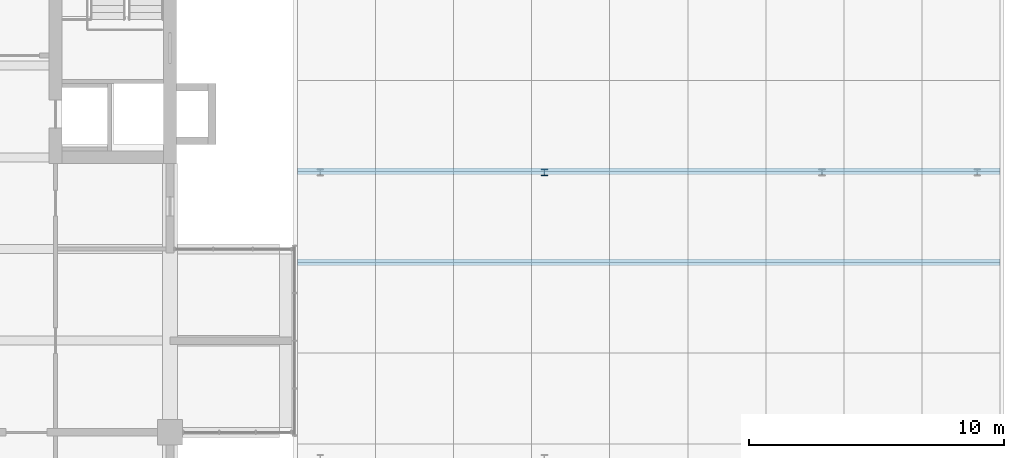
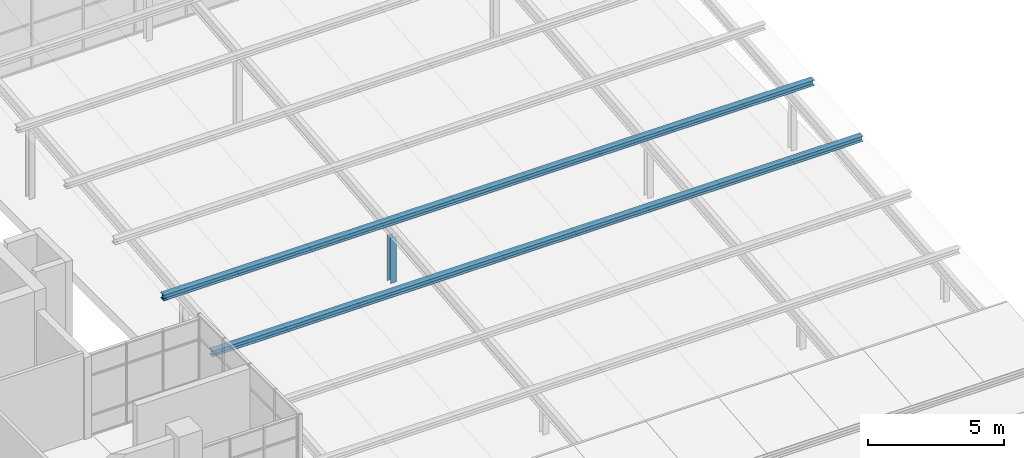
# One storey, part 20 of 44: 3 members.
"""IFC4 building model written with IfcOpenShell, lengths in metres."""

from ifc_helpers import new_model, si_unit, direction, frame, origin, origin_2d, place, context, subcontext, project, spatial, i_section, extrude, material, material_profile, profile_set, type_object, element, save


model = new_model("IFC4")

# Units and contexts
model_context = context("Model", 3, precision=1e-05, world=origin(), true_north=direction((0.0, 1.0)))
body_context = subcontext(model_context, "Body", "Model", "MODEL_VIEW")
ifc_project = project(units=[si_unit("LENGTHUNIT", "METRE"), si_unit("AREAUNIT", "SQUARE_METRE"), si_unit("VOLUMEUNIT", "CUBIC_METRE"), si_unit("PLANEANGLEUNIT", "RADIAN"), si_unit("MASSUNIT", "GRAM", prefix="KILO")], contexts=[model_context])

# Site, building, storey
site_placement = place(None, origin())
site = spatial("IfcSite", under=ifc_project, at=site_placement, CompositionType="ELEMENT")
building_placement = place(site_placement, origin())
building = spatial("IfcBuilding", under=site, at=building_placement, Name="Basin Gate Institute", CompositionType="ELEMENT")
storey_placement = place(building_placement, frame((0.0, 0.0, 27.0)))
storey = spatial("IfcBuildingStorey", under=building, at=storey_placement, Name="L05", CompositionType="ELEMENT", Elevation=27.0)

# Members
ifc_material_1 = material(Name="Structural steel SN490", Category="steel")
ifc_material_profile_1 = material_profile(ifc_material_1, i_section(OverallWidth=0.25, OverallDepth=0.25, WebThickness=0.009033203125, FlangeThickness=0.013916015625, FilletRadius=0.01611328125, at=origin_2d()), Name="H250x250")
ifc_profile_set_1 = profile_set([ifc_material_profile_1], Name="Structural steel SN490")
member_type_1 = type_object("IfcMemberType", Name="Umbrella post TC3 R120", PredefinedType="POST", material=ifc_profile_set_1)
member_placement = place(storey_placement, frame((133.5, 88.5, 0.0), z_axis=(0.0, 0.0, 1.0), x_axis=(1.0, 0.0, 0.0)))
element("IfcMember", 1, at=member_placement, inside=storey, type_object=member_type_1, material=ifc_profile_set_1, Name="Umbrella roof post 2/3", PredefinedType="POST", context=body_context, shape_type="SweptSolid", body=[
    extrude(i_section(OverallWidth=0.25, OverallDepth=0.25, WebThickness=0.009033203125, FlangeThickness=0.013916015625, FilletRadius=0.01611328125, at=origin_2d()), origin(), (0.0, 0.0, 1.0), 2.042724609375),
])
ifc_material_2 = material(Name="Structural steel SN490", Category="steel")
ifc_material_profile_2 = material_profile(ifc_material_2, i_section(OverallWidth=0.25, OverallDepth=0.25, WebThickness=0.009033203125, FlangeThickness=0.013916015625, FilletRadius=0.01611328125, at=origin_2d()), Name="H250x250")
ifc_profile_set_2 = profile_set([ifc_material_profile_2], Name="Structural steel SN490")
member_type_2 = type_object("IfcMemberType", Name="Umbrella purlin TC3 R120", PredefinedType="PURLIN", material=ifc_profile_set_2)
for number, where, z_axis, x_axis, name in (
    (2, (123.800048828125, 84.97998046875, 2.32861328125), (1.0, 0.0, 0.0), (0.0, 1.0, 0.0), "Umbrella roof purlin 5"),
    (3, (123.800048828125, 88.550048828125, 2.675048828125), (1.0, 0.0, 0.0), (0.0, 1.0, 0.0), "Umbrella roof purlin 6"),
):
    element("IfcMember", number, at=place(storey_placement, frame(where, z_axis=z_axis, x_axis=x_axis)), inside=storey, type_object=member_type_2, material=ifc_profile_set_2, Name=name, PredefinedType="PURLIN", context=body_context, shape_type="SweptSolid", body=[
        extrude(i_section(OverallWidth=0.25, OverallDepth=0.25, WebThickness=0.009033203125, FlangeThickness=0.013916015625, FilletRadius=0.01611328125, at=origin_2d()), origin(), (0.0, 0.0, 1.0), 27.599853515625),
    ])

save(model, "model.ifc")
